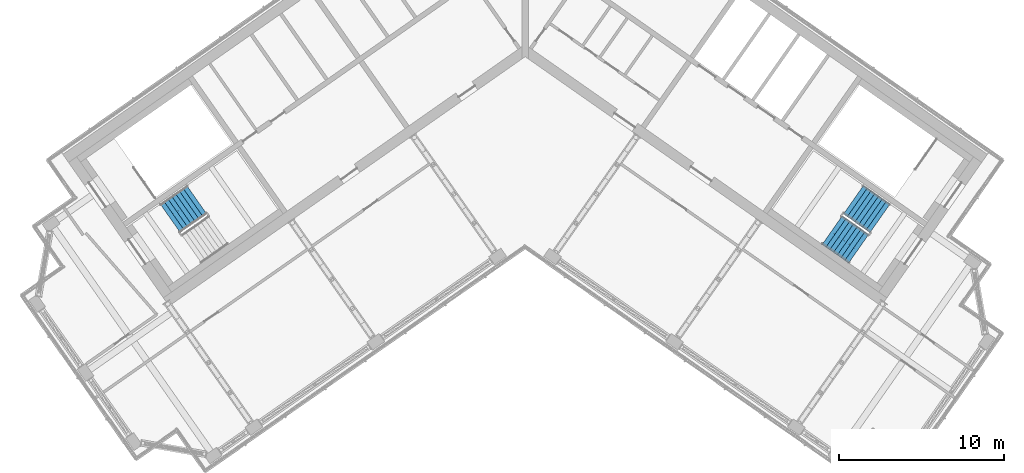
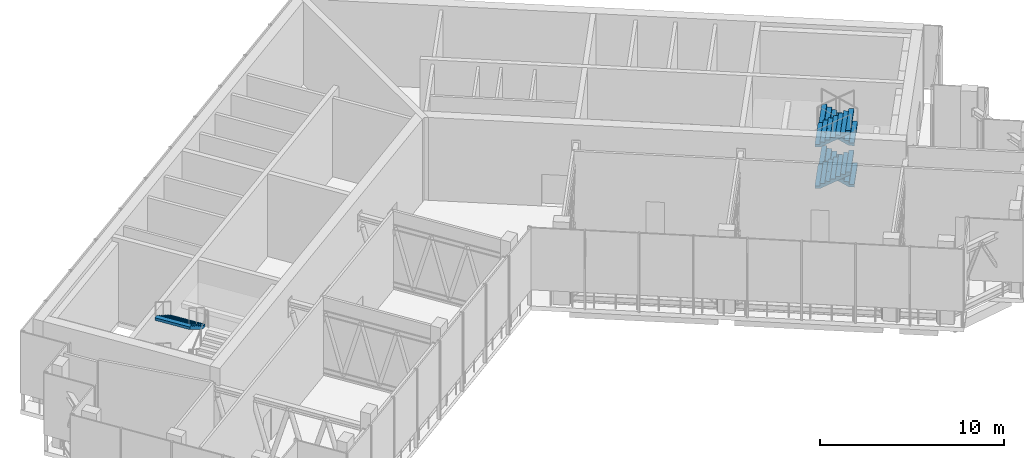
# One storey, part 6 of 16: 5 stair flights, 2 elements without a shape of their own.
"""IFC4 building model written with IfcOpenShell, lengths in metres."""

from ifc_helpers import new_model, si_unit, direction, frame, origin, place, context, subcontext, project, spatial, polyline, outline, extrude, material, type_object, element, aggregate, save


model = new_model("IFC4")

# Units and contexts
model_context = context("Model", 3, precision=1e-05, world=origin(), true_north=direction((0.0, 1.0)))
body_context = subcontext(model_context, "Body", "Model", "MODEL_VIEW")
ifc_project = project(units=[si_unit("LENGTHUNIT", "METRE"), si_unit("AREAUNIT", "SQUARE_METRE"), si_unit("VOLUMEUNIT", "CUBIC_METRE"), si_unit("PLANEANGLEUNIT", "RADIAN"), si_unit("MASSUNIT", "GRAM", prefix="KILO")], contexts=[model_context])

# Site, building, storey
site_placement = place(None, origin())
site = spatial("IfcSite", under=ifc_project, at=site_placement, CompositionType="ELEMENT")
building_placement = place(site_placement, origin())
building = spatial("IfcBuilding", under=site, at=building_placement, Name="Tel Ilan Convention Tower", CompositionType="ELEMENT")
storey_placement = place(building_placement, frame((0.0, 0.0, 313.300048828125)))
storey = spatial("IfcBuildingStorey", under=building, at=storey_placement, Name="L74", CompositionType="ELEMENT", Elevation=313.300048828125)

# Stair, stair flight
ifc_material_1 = material(Name="Concrete C40/50", Category="concrete")
stair_type = type_object("IfcStairType", Name="Pressurised Exit Stair 32 risers 172 mm", PredefinedType="HALF_TURN_STAIR", material=ifc_material_1)
stair_1_placement = place(storey_placement, origin())
stair_1 = element("IfcStair", 1, at=stair_1_placement, inside=storey, type_object=stair_type, Name="L74 Pressurised Stair S2", PredefinedType="HALF_TURN_STAIR")
ifc_material_2 = material(Name="Precast Concrete C40/50", Category="concrete")
stair_flight_type = type_object("IfcStairFlightType", Name="Concrete Stair Flight 2100 mm 32 risers 172 mm", PredefinedType="STRAIGHT", material=ifc_material_2)
stair_flight_1_placement = place(storey_placement, frame((-19.864990234375, -9.881103515625, 4.125), z_axis=(0.0, 0.0, 1.0), x_axis=(-0.819152044289, -0.573576436351, 0.0)))
stair_flight_1 = element("IfcStairFlight", 2, at=stair_flight_1_placement, type_object=stair_flight_type, Name="S2 flight 4", NumberOfRisers=8, NumberOfTreads=7, PredefinedType="STRAIGHT", RiserHeight=0.171875, TreadLength=0.28, context=body_context, shape_type="SweptSolid", body=[
    extrude(outline(polyline([(0.0, 0.0), (0.0, 0.171875), (0.280029296875, 0.171875), (0.280029296875, 0.34375), (0.56005859375, 0.34375), (0.56005859375, 0.515625), (0.840087890625, 0.515625), (0.840087890625, 0.6875), (1.1201171875, 0.6875), (1.1201171875, 0.859375), (1.39990234375, 0.859375), (1.39990234375, 1.03125), (1.679931640625, 1.03125), (1.679931640625, 1.203125), (1.9599609375, 1.203125), (1.9599609375, 1.375), (1.9599609375, 1.02734375), (0.28662109375, 0.0), (0.0, 0.0)])), frame((0.0, -0.100341796875, 0.0), z_axis=(0.0, -1.0, 0.0), x_axis=(1.0, 0.0, 0.0)), (0.0, 0.0, 1.0), 0.94970703125),
    extrude(outline(polyline([(0.0, 0.0), (0.0, 0.171875), (0.280029296875, 0.171875), (0.280029296875, 0.34375), (0.56005859375, 0.34375), (0.56005859375, 0.515625), (0.840087890625, 0.515625), (0.840087890625, 0.6875), (1.1201171875, 0.6875), (1.1201171875, 0.859375), (1.39990234375, 0.859375), (1.39990234375, 1.03125), (1.679931640625, 1.03125), (1.679931640625, 1.203125), (1.9599609375, 1.203125), (1.9599609375, 1.375), (1.9599609375, 1.02734375), (0.28662109375, 0.0), (0.0, 0.0)])), frame((0.0, -0.000244140625, 0.0), z_axis=(0.0, -1.0, 0.0), x_axis=(1.0, 0.0, 0.0)), (0.0, 0.0, 1.0), 0.099609375),
    extrude(outline(polyline([(0.0, 0.0), (0.0, 0.171875), (0.280029296875, 0.171875), (0.280029296875, 0.34375), (0.56005859375, 0.34375), (0.56005859375, 0.515625), (0.840087890625, 0.515625), (0.840087890625, 0.6875), (1.1201171875, 0.6875), (1.1201171875, 0.859375), (1.39990234375, 0.859375), (1.39990234375, 1.03125), (1.679931640625, 1.03125), (1.679931640625, 1.203125), (1.9599609375, 1.203125), (1.9599609375, 1.375), (1.9599609375, 1.02734375), (0.28662109375, 0.0), (0.0, 0.0)])), frame((0.0, 0.099853515625, 0.0), z_axis=(0.0, -1.0, 0.0), x_axis=(1.0, 0.0, 0.0)), (0.0, 0.0, 1.0), 0.099609375),
    extrude(outline(polyline([(0.0, 0.0), (0.0, 0.171875), (0.280029296875, 0.171875), (0.280029296875, 0.34375), (0.56005859375, 0.34375), (0.56005859375, 0.515625), (0.840087890625, 0.515625), (0.840087890625, 0.6875), (1.1201171875, 0.6875), (1.1201171875, 0.859375), (1.39990234375, 0.859375), (1.39990234375, 1.03125), (1.679931640625, 1.03125), (1.679931640625, 1.203125), (1.9599609375, 1.203125), (1.9599609375, 1.375), (1.9599609375, 1.02734375), (0.28662109375, 0.0), (0.0, 0.0)])), frame((0.0, 1.050048828125, 0.0), z_axis=(0.0, -1.0, 0.0), x_axis=(1.0, 0.0, 0.0)), (0.0, 0.0, 1.0), 0.94970703125),
])
aggregate(stair_1, [stair_flight_1])

# Stair, stair flights
stair_2_placement = place(storey_placement, origin())
stair_2 = element("IfcStair", 3, at=stair_2_placement, inside=storey, type_object=stair_type, Name="L74 Pressurised Stair S4", PredefinedType="HALF_TURN_STAIR")
stair_flight_2_placement = place(storey_placement, frame((21.470458984375, -11.00537109375, 0.0), z_axis=(0.0, 0.0, 1.0), x_axis=(-0.819152044289, 0.573576436351, 0.0)))
stair_flight_2 = element("IfcStairFlight", 4, at=stair_flight_2_placement, type_object=stair_flight_type, Name="S4 flight 1", NumberOfRisers=8, NumberOfTreads=7, PredefinedType="STRAIGHT", RiserHeight=0.171875, TreadLength=0.28, context=body_context, shape_type="SweptSolid", body=[
    extrude(outline(polyline([(0.0, 0.0), (0.0, 0.171875), (0.280029296875, 0.171875), (0.280029296875, 0.34375), (0.56005859375, 0.34375), (0.56005859375, 0.515625), (0.840087890625, 0.515625), (0.840087890625, 0.6875), (1.1201171875, 0.6875), (1.1201171875, 0.859375), (1.39990234375, 0.859375), (1.39990234375, 1.03125), (1.679931640625, 1.03125), (1.679931640625, 1.203125), (1.9599609375, 1.203125), (1.9599609375, 1.375), (1.9599609375, 1.02734375), (0.28662109375, 0.0), (0.0, 0.0)])), frame((0.0, -0.100341796875, 0.0), z_axis=(0.0, -1.0, 0.0), x_axis=(1.0, 0.0, 0.0)), (0.0, 0.0, 1.0), 0.94970703125),
    extrude(outline(polyline([(0.0, 0.0), (0.0, 0.171875), (0.280029296875, 0.171875), (0.280029296875, 0.34375), (0.56005859375, 0.34375), (0.56005859375, 0.515625), (0.840087890625, 0.515625), (0.840087890625, 0.6875), (1.1201171875, 0.6875), (1.1201171875, 0.859375), (1.39990234375, 0.859375), (1.39990234375, 1.03125), (1.679931640625, 1.03125), (1.679931640625, 1.203125), (1.9599609375, 1.203125), (1.9599609375, 1.375), (1.9599609375, 1.02734375), (0.28662109375, 0.0), (0.0, 0.0)])), frame((0.0, -0.000244140625, 0.0), z_axis=(0.0, -1.0, 0.0), x_axis=(1.0, 0.0, 0.0)), (0.0, 0.0, 1.0), 0.099609375),
    extrude(outline(polyline([(0.0, 0.0), (0.0, 0.171875), (0.280029296875, 0.171875), (0.280029296875, 0.34375), (0.56005859375, 0.34375), (0.56005859375, 0.515625), (0.840087890625, 0.515625), (0.840087890625, 0.6875), (1.1201171875, 0.6875), (1.1201171875, 0.859375), (1.39990234375, 0.859375), (1.39990234375, 1.03125), (1.679931640625, 1.03125), (1.679931640625, 1.203125), (1.9599609375, 1.203125), (1.9599609375, 1.375), (1.9599609375, 1.02734375), (0.28662109375, 0.0), (0.0, 0.0)])), frame((0.0, 0.099853515625, 0.0), z_axis=(0.0, -1.0, 0.0), x_axis=(1.0, 0.0, 0.0)), (0.0, 0.0, 1.0), 0.099609375),
    extrude(outline(polyline([(0.0, 0.0), (0.0, 0.171875), (0.280029296875, 0.171875), (0.280029296875, 0.34375), (0.56005859375, 0.34375), (0.56005859375, 0.515625), (0.840087890625, 0.515625), (0.840087890625, 0.6875), (1.1201171875, 0.6875), (1.1201171875, 0.859375), (1.39990234375, 0.859375), (1.39990234375, 1.03125), (1.679931640625, 1.03125), (1.679931640625, 1.203125), (1.9599609375, 1.203125), (1.9599609375, 1.375), (1.9599609375, 1.02734375), (0.28662109375, 0.0), (0.0, 0.0)])), frame((0.0, 1.050048828125, 0.0), z_axis=(0.0, -1.0, 0.0), x_axis=(1.0, 0.0, 0.0)), (0.0, 0.0, 1.0), 0.94970703125),
])
stair_flight_3_placement = place(storey_placement, frame((18.574462890625, -11.72412109375, 1.375), z_axis=(0.0, 0.0, 1.0), x_axis=(0.819152044289, -0.573576436351, 0.0)))
stair_flight_3 = element("IfcStairFlight", 5, at=stair_flight_3_placement, type_object=stair_flight_type, Name="S4 flight 2", NumberOfRisers=8, NumberOfTreads=7, PredefinedType="STRAIGHT", RiserHeight=0.171875, TreadLength=0.28, context=body_context, shape_type="SweptSolid", body=[
    extrude(outline(polyline([(0.0, 0.0), (0.0, 0.171875), (0.280029296875, 0.171875), (0.280029296875, 0.34375), (0.56005859375, 0.34375), (0.56005859375, 0.515625), (0.840087890625, 0.515625), (0.840087890625, 0.6875), (1.1201171875, 0.6875), (1.1201171875, 0.859375), (1.39990234375, 0.859375), (1.39990234375, 1.03125), (1.679931640625, 1.03125), (1.679931640625, 1.203125), (1.9599609375, 1.203125), (1.9599609375, 1.375), (1.9599609375, 1.02734375), (0.28662109375, 0.0), (0.0, 0.0)])), frame((0.0, -0.100341796875, 0.0), z_axis=(0.0, -1.0, 0.0), x_axis=(1.0, 0.0, 0.0)), (0.0, 0.0, 1.0), 0.94970703125),
    extrude(outline(polyline([(0.0, 0.0), (0.0, 0.171875), (0.280029296875, 0.171875), (0.280029296875, 0.34375), (0.56005859375, 0.34375), (0.56005859375, 0.515625), (0.840087890625, 0.515625), (0.840087890625, 0.6875), (1.1201171875, 0.6875), (1.1201171875, 0.859375), (1.39990234375, 0.859375), (1.39990234375, 1.03125), (1.679931640625, 1.03125), (1.679931640625, 1.203125), (1.9599609375, 1.203125), (1.9599609375, 1.375), (1.9599609375, 1.02734375), (0.28662109375, 0.0), (0.0, 0.0)])), frame((0.0, -0.000244140625, 0.0), z_axis=(0.0, -1.0, 0.0), x_axis=(1.0, 0.0, 0.0)), (0.0, 0.0, 1.0), 0.099609375),
    extrude(outline(polyline([(0.0, 0.0), (0.0, 0.171875), (0.280029296875, 0.171875), (0.280029296875, 0.34375), (0.56005859375, 0.34375), (0.56005859375, 0.515625), (0.840087890625, 0.515625), (0.840087890625, 0.6875), (1.1201171875, 0.6875), (1.1201171875, 0.859375), (1.39990234375, 0.859375), (1.39990234375, 1.03125), (1.679931640625, 1.03125), (1.679931640625, 1.203125), (1.9599609375, 1.203125), (1.9599609375, 1.375), (1.9599609375, 1.02734375), (0.28662109375, 0.0), (0.0, 0.0)])), frame((0.0, 0.099853515625, 0.0), z_axis=(0.0, -1.0, 0.0), x_axis=(1.0, 0.0, 0.0)), (0.0, 0.0, 1.0), 0.099609375),
    extrude(outline(polyline([(0.0, 0.0), (0.0, 0.171875), (0.280029296875, 0.171875), (0.280029296875, 0.34375), (0.56005859375, 0.34375), (0.56005859375, 0.515625), (0.840087890625, 0.515625), (0.840087890625, 0.6875), (1.1201171875, 0.6875), (1.1201171875, 0.859375), (1.39990234375, 0.859375), (1.39990234375, 1.03125), (1.679931640625, 1.03125), (1.679931640625, 1.203125), (1.9599609375, 1.203125), (1.9599609375, 1.375), (1.9599609375, 1.02734375), (0.28662109375, 0.0), (0.0, 0.0)])), frame((0.0, 1.050048828125, 0.0), z_axis=(0.0, -1.0, 0.0), x_axis=(1.0, 0.0, 0.0)), (0.0, 0.0, 1.0), 0.94970703125),
])
stair_flight_4_placement = place(storey_placement, frame((21.470458984375, -11.00537109375, 2.75), z_axis=(0.0, 0.0, 1.0), x_axis=(-0.819152044289, 0.573576436351, 0.0)))
stair_flight_4 = element("IfcStairFlight", 6, at=stair_flight_4_placement, type_object=stair_flight_type, Name="S4 flight 3", NumberOfRisers=8, NumberOfTreads=7, PredefinedType="STRAIGHT", RiserHeight=0.171875, TreadLength=0.28, context=body_context, shape_type="SweptSolid", body=[
    extrude(outline(polyline([(0.0, 0.0), (0.0, 0.171875), (0.280029296875, 0.171875), (0.280029296875, 0.34375), (0.56005859375, 0.34375), (0.56005859375, 0.515625), (0.840087890625, 0.515625), (0.840087890625, 0.6875), (1.1201171875, 0.6875), (1.1201171875, 0.859375), (1.39990234375, 0.859375), (1.39990234375, 1.03125), (1.679931640625, 1.03125), (1.679931640625, 1.203125), (1.9599609375, 1.203125), (1.9599609375, 1.375), (1.9599609375, 1.02734375), (0.28662109375, 0.0), (0.0, 0.0)])), frame((0.0, -0.100341796875, 0.0), z_axis=(0.0, -1.0, 0.0), x_axis=(1.0, 0.0, 0.0)), (0.0, 0.0, 1.0), 0.94970703125),
    extrude(outline(polyline([(0.0, 0.0), (0.0, 0.171875), (0.280029296875, 0.171875), (0.280029296875, 0.34375), (0.56005859375, 0.34375), (0.56005859375, 0.515625), (0.840087890625, 0.515625), (0.840087890625, 0.6875), (1.1201171875, 0.6875), (1.1201171875, 0.859375), (1.39990234375, 0.859375), (1.39990234375, 1.03125), (1.679931640625, 1.03125), (1.679931640625, 1.203125), (1.9599609375, 1.203125), (1.9599609375, 1.375), (1.9599609375, 1.02734375), (0.28662109375, 0.0), (0.0, 0.0)])), frame((0.0, -0.000244140625, 0.0), z_axis=(0.0, -1.0, 0.0), x_axis=(1.0, 0.0, 0.0)), (0.0, 0.0, 1.0), 0.099609375),
    extrude(outline(polyline([(0.0, 0.0), (0.0, 0.171875), (0.280029296875, 0.171875), (0.280029296875, 0.34375), (0.56005859375, 0.34375), (0.56005859375, 0.515625), (0.840087890625, 0.515625), (0.840087890625, 0.6875), (1.1201171875, 0.6875), (1.1201171875, 0.859375), (1.39990234375, 0.859375), (1.39990234375, 1.03125), (1.679931640625, 1.03125), (1.679931640625, 1.203125), (1.9599609375, 1.203125), (1.9599609375, 1.375), (1.9599609375, 1.02734375), (0.28662109375, 0.0), (0.0, 0.0)])), frame((0.0, 0.099853515625, 0.0), z_axis=(0.0, -1.0, 0.0), x_axis=(1.0, 0.0, 0.0)), (0.0, 0.0, 1.0), 0.099609375),
    extrude(outline(polyline([(0.0, 0.0), (0.0, 0.171875), (0.280029296875, 0.171875), (0.280029296875, 0.34375), (0.56005859375, 0.34375), (0.56005859375, 0.515625), (0.840087890625, 0.515625), (0.840087890625, 0.6875), (1.1201171875, 0.6875), (1.1201171875, 0.859375), (1.39990234375, 0.859375), (1.39990234375, 1.03125), (1.679931640625, 1.03125), (1.679931640625, 1.203125), (1.9599609375, 1.203125), (1.9599609375, 1.375), (1.9599609375, 1.02734375), (0.28662109375, 0.0), (0.0, 0.0)])), frame((0.0, 1.050048828125, 0.0), z_axis=(0.0, -1.0, 0.0), x_axis=(1.0, 0.0, 0.0)), (0.0, 0.0, 1.0), 0.94970703125),
])
stair_flight_5_placement = place(storey_placement, frame((18.574462890625, -11.72412109375, 4.125), z_axis=(0.0, 0.0, 1.0), x_axis=(0.819152044289, -0.573576436351, 0.0)))
stair_flight_5 = element("IfcStairFlight", 7, at=stair_flight_5_placement, type_object=stair_flight_type, Name="S4 flight 4", NumberOfRisers=8, NumberOfTreads=7, PredefinedType="STRAIGHT", RiserHeight=0.171875, TreadLength=0.28, context=body_context, shape_type="SweptSolid", body=[
    extrude(outline(polyline([(0.0, 0.0), (0.0, 0.171875), (0.280029296875, 0.171875), (0.280029296875, 0.34375), (0.56005859375, 0.34375), (0.56005859375, 0.515625), (0.840087890625, 0.515625), (0.840087890625, 0.6875), (1.1201171875, 0.6875), (1.1201171875, 0.859375), (1.39990234375, 0.859375), (1.39990234375, 1.03125), (1.679931640625, 1.03125), (1.679931640625, 1.203125), (1.9599609375, 1.203125), (1.9599609375, 1.375), (1.9599609375, 1.02734375), (0.28662109375, 0.0), (0.0, 0.0)])), frame((0.0, -0.100341796875, 0.0), z_axis=(0.0, -1.0, 0.0), x_axis=(1.0, 0.0, 0.0)), (0.0, 0.0, 1.0), 0.94970703125),
    extrude(outline(polyline([(0.0, 0.0), (0.0, 0.171875), (0.280029296875, 0.171875), (0.280029296875, 0.34375), (0.56005859375, 0.34375), (0.56005859375, 0.515625), (0.840087890625, 0.515625), (0.840087890625, 0.6875), (1.1201171875, 0.6875), (1.1201171875, 0.859375), (1.39990234375, 0.859375), (1.39990234375, 1.03125), (1.679931640625, 1.03125), (1.679931640625, 1.203125), (1.9599609375, 1.203125), (1.9599609375, 1.375), (1.9599609375, 1.02734375), (0.28662109375, 0.0), (0.0, 0.0)])), frame((0.0, -0.000244140625, 0.0), z_axis=(0.0, -1.0, 0.0), x_axis=(1.0, 0.0, 0.0)), (0.0, 0.0, 1.0), 0.099609375),
    extrude(outline(polyline([(0.0, 0.0), (0.0, 0.171875), (0.280029296875, 0.171875), (0.280029296875, 0.34375), (0.56005859375, 0.34375), (0.56005859375, 0.515625), (0.840087890625, 0.515625), (0.840087890625, 0.6875), (1.1201171875, 0.6875), (1.1201171875, 0.859375), (1.39990234375, 0.859375), (1.39990234375, 1.03125), (1.679931640625, 1.03125), (1.679931640625, 1.203125), (1.9599609375, 1.203125), (1.9599609375, 1.375), (1.9599609375, 1.02734375), (0.28662109375, 0.0), (0.0, 0.0)])), frame((0.0, 0.099853515625, 0.0), z_axis=(0.0, -1.0, 0.0), x_axis=(1.0, 0.0, 0.0)), (0.0, 0.0, 1.0), 0.099609375),
    extrude(outline(polyline([(0.0, 0.0), (0.0, 0.171875), (0.280029296875, 0.171875), (0.280029296875, 0.34375), (0.56005859375, 0.34375), (0.56005859375, 0.515625), (0.840087890625, 0.515625), (0.840087890625, 0.6875), (1.1201171875, 0.6875), (1.1201171875, 0.859375), (1.39990234375, 0.859375), (1.39990234375, 1.03125), (1.679931640625, 1.03125), (1.679931640625, 1.203125), (1.9599609375, 1.203125), (1.9599609375, 1.375), (1.9599609375, 1.02734375), (0.28662109375, 0.0), (0.0, 0.0)])), frame((0.0, 1.050048828125, 0.0), z_axis=(0.0, -1.0, 0.0), x_axis=(1.0, 0.0, 0.0)), (0.0, 0.0, 1.0), 0.94970703125),
])
aggregate(stair_2, [stair_flight_2, stair_flight_3, stair_flight_4, stair_flight_5])

save(model, "model.ifc")
